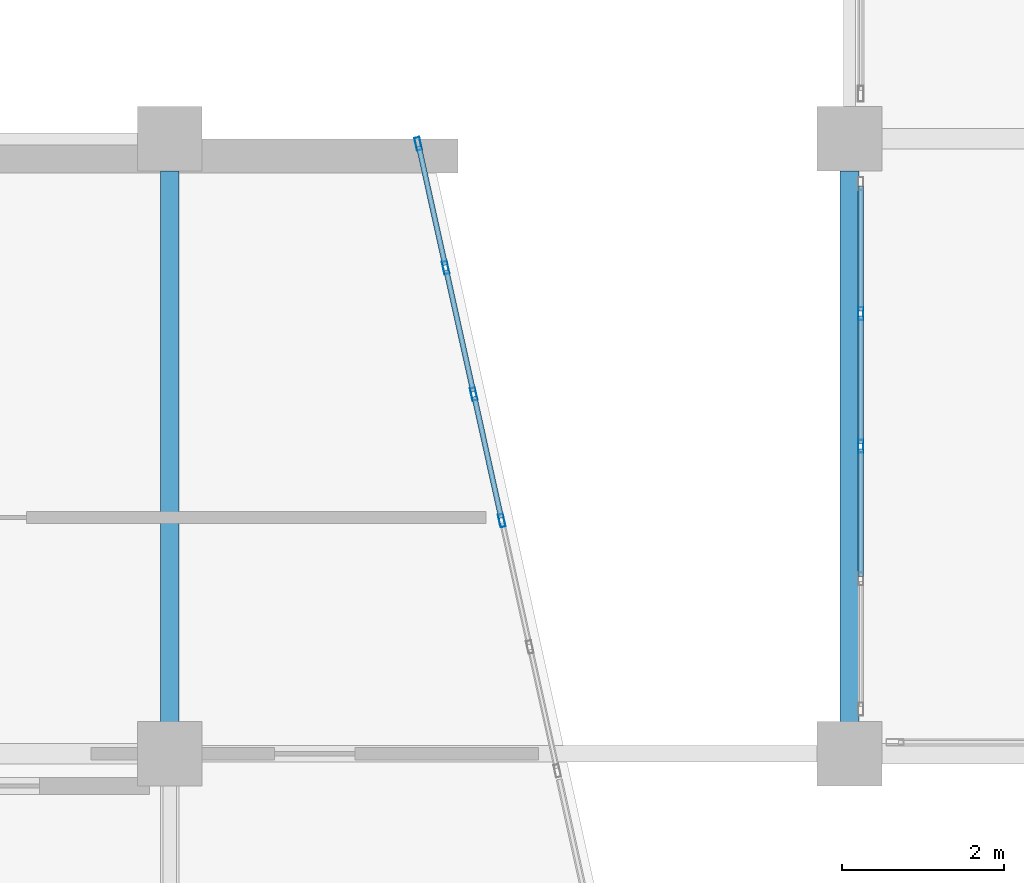
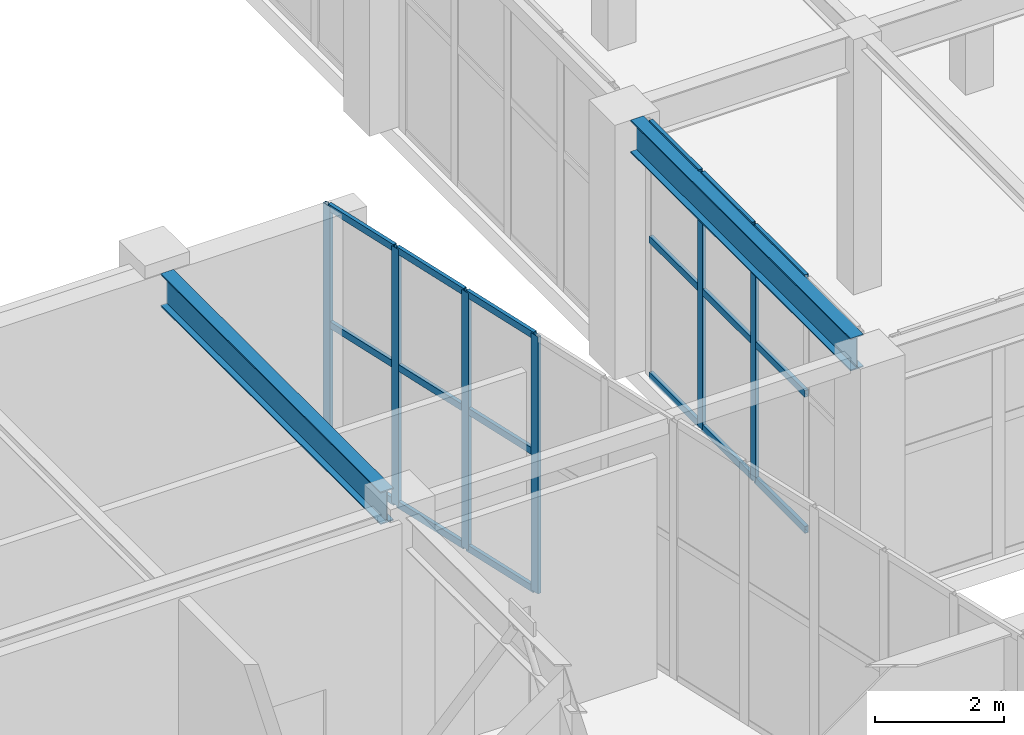
# One storey, part 26 of 128: 24 members, 2 beams, 2 elements without a shape of their own.
"""IFC4 building model written with IfcOpenShell, lengths in metres."""

from ifc_helpers import new_model, si_unit, direction, frame, origin, origin_2d, place, context, subcontext, project, spatial, hollow_rectangle, i_section, extrude, material, layer, layer_set, material_profile, profile_set, type_object, element, aggregate, save


model = new_model("IFC4")

# Units and contexts
model_context = context("Model", 3, precision=1e-05, world=origin(), true_north=direction((0.0, 1.0)))
body_context = subcontext(model_context, "Body", "Model", "MODEL_VIEW")
ifc_project = project(units=[si_unit("LENGTHUNIT", "METRE"), si_unit("AREAUNIT", "SQUARE_METRE"), si_unit("VOLUMEUNIT", "CUBIC_METRE"), si_unit("PLANEANGLEUNIT", "RADIAN"), si_unit("MASSUNIT", "GRAM", prefix="KILO")], contexts=[model_context])

# Site, building, storey
site_placement = place(None, origin())
site = spatial("IfcSite", under=ifc_project, at=site_placement, CompositionType="ELEMENT")
building_placement = place(site_placement, origin())
building = spatial("IfcBuilding", under=site, at=building_placement, Name="Xicomal Pleat Aquarium", CompositionType="ELEMENT")
storey_placement = place(building_placement, frame((0.0, 0.0, 5.39990234375)))
storey = spatial("IfcBuildingStorey", under=building, at=storey_placement, Name="L02", CompositionType="ELEMENT", Elevation=5.39990234375)

# Beams
ifc_material_1 = material(Name="Structural steel A992 Gr 50", Category="steel")
ifc_material_profile_1 = material_profile(ifc_material_1, i_section(OverallWidth=0.22998046875, OverallDepth=0.616943359375, WebThickness=0.01318359375, FlangeThickness=0.022216796875, at=origin_2d()), Name="IR 610x140")
ifc_profile_set_1 = profile_set([ifc_material_profile_1], Name="Structural steel A992 Gr 50")
beam_type = type_object("IfcBeamType", Name="BM-STL-IR610", PredefinedType="BEAM", material=ifc_profile_set_1)
for number, where, z_axis, x_axis, name in (
    (1, (35.39990234375, 30.794921875, 4.551513671875), (0.0, 1.0, 0.0), (-1.0, 0.0, 0.0), "L02 framing beam FGY-L02-05-E-F"),
    (2, (43.800048828125, 30.794921875, 4.51171875), (0.0, 1.0, 0.0), (-1.0, 0.0, 0.0), "L02 framing beam FGY-L02-06-E-F"),
):
    element("IfcBeam", number, at=place(storey_placement, frame(where, z_axis=z_axis, x_axis=x_axis)), inside=storey, type_object=beam_type, Name=name, PredefinedType="BEAM", context=body_context, shape_type="SweptSolid", body=[
        extrude(i_section(OverallWidth=0.22998046875, OverallDepth=0.616943359375, WebThickness=0.01318359375, FlangeThickness=0.022216796875, at=origin_2d()), origin(), (0.0, 0.0, 1.0), 6.81005859375),
    ])

# Curtain wall, members
ifc_material_2 = material(Name="Bronze anodized aluminium 6063-T6", Category="aluminium")
ifc_layer = layer(ifc_material_2, 0.159912109375)
ifc_layer_set = layer_set([ifc_layer], Name="Bronze anodized aluminium 6063-T6")
curtain_wall_type = type_object("IfcCurtainWallType", Name="CW-SYS-02", PredefinedType="NOTDEFINED", material=ifc_layer_set)
curtain_wall_1_placement = place(storey_placement, origin())
curtain_wall_1 = element("IfcCurtainWall", 3, at=curtain_wall_1_placement, inside=storey, type_object=curtain_wall_type, Name="L02 unitised curtain wall CW-L02-096", PredefinedType="NOTDEFINED")
ifc_material_3 = material(Name="Bronze anodized aluminium 6063-T6", Category="aluminium")
ifc_material_profile_2 = material_profile(ifc_material_3, hollow_rectangle(XDim=0.06494140625, YDim=0.159912109375, WallThickness=0.00390625, at=origin_2d()), Name="ALU MULL 65x160")
ifc_profile_set_2 = profile_set([ifc_material_profile_2], Name="Bronze anodized aluminium 6063-T6")
member_type_1 = type_object("IfcMemberType", Name="CWM-65x160", PredefinedType="MULLION", material=ifc_profile_set_2)
member_1_placement = place(storey_placement, frame((43.93994140625, 34.199951171875, 0.0), z_axis=(0.0, 0.0, 1.0), x_axis=(-1.0, 0.0, 0.0)))
member_1 = element("IfcMember", 4, at=member_1_placement, type_object=member_type_1, Name="CW-02 mullion 3", PredefinedType="MULLION", context=body_context, shape_type="SweptSolid", body=[
    extrude(hollow_rectangle(XDim=0.06494140625, YDim=0.159912109375, WallThickness=0.00390625, at=origin_2d()), origin(), (0.0, 0.0, 1.0), 4.820068359375),
])
member_2_placement = place(storey_placement, frame((43.93994140625, 35.840087890625, 0.0), z_axis=(0.0, 0.0, 1.0), x_axis=(-1.0, 0.0, 0.0)))
member_2 = element("IfcMember", 5, at=member_2_placement, type_object=member_type_1, Name="CW-02 mullion 4", PredefinedType="MULLION", context=body_context, shape_type="SweptSolid", body=[
    extrude(hollow_rectangle(XDim=0.06494140625, YDim=0.159912109375, WallThickness=0.00390625, at=origin_2d()), origin(), (0.0, 0.0, 1.0), 4.820068359375),
])

curtain_wall_2_placement = place(storey_placement, origin())
curtain_wall_2 = element("IfcCurtainWall", 6, at=curtain_wall_2_placement, inside=storey, type_object=curtain_wall_type, Name="L02 unitised curtain wall CW-L02-138", PredefinedType="NOTDEFINED")
member_3_placement = place(storey_placement, frame((38.469970703125, 37.938232421875, 0.0), z_axis=(0.0, 0.0, 1.0), x_axis=(0.976272248092, 0.216546756166, 0.0)))
member_3 = element("IfcMember", 7, at=member_3_placement, type_object=member_type_1, Name="CW-02 mullion 1", PredefinedType="MULLION", context=body_context, shape_type="SweptSolid", body=[
    extrude(hollow_rectangle(XDim=0.06494140625, YDim=0.159912109375, WallThickness=0.00390625, at=origin_2d()), origin(), (0.0, 0.0, 1.0), 4.860107421875),
])
member_4_placement = place(storey_placement, frame((38.8095703125, 36.407470703125, 0.0), z_axis=(0.0, 0.0, 1.0), x_axis=(0.976272248092, 0.216546756166, 0.0)))
member_4 = element("IfcMember", 8, at=member_4_placement, type_object=member_type_1, Name="CW-02 mullion 2", PredefinedType="MULLION", context=body_context, shape_type="SweptSolid", body=[
    extrude(hollow_rectangle(XDim=0.06494140625, YDim=0.159912109375, WallThickness=0.00390625, at=origin_2d()), origin(), (0.0, 0.0, 1.0), 4.860107421875),
])
member_5_placement = place(storey_placement, frame((39.15625, 34.8447265625, 0.0), z_axis=(0.0, 0.0, 1.0), x_axis=(0.976272248092, 0.216546756166, 0.0)))
member_5 = element("IfcMember", 9, at=member_5_placement, type_object=member_type_1, Name="CW-02 mullion 3", PredefinedType="MULLION", context=body_context, shape_type="SweptSolid", body=[
    extrude(hollow_rectangle(XDim=0.06494140625, YDim=0.159912109375, WallThickness=0.00390625, at=origin_2d()), origin(), (0.0, 0.0, 1.0), 4.860107421875),
])
member_6_placement = place(storey_placement, frame((39.502685546875, 33.2822265625, 0.0), z_axis=(0.0, 0.0, 1.0), x_axis=(0.976272248092, 0.216546756166, 0.0)))
member_6 = element("IfcMember", 10, at=member_6_placement, type_object=member_type_1, Name="CW-02 mullion 4", PredefinedType="MULLION", context=body_context, shape_type="SweptSolid", body=[
    extrude(hollow_rectangle(XDim=0.06494140625, YDim=0.159912109375, WallThickness=0.00390625, at=origin_2d()), origin(), (0.0, 0.0, 1.0), 4.860107421875),
])

# Member
ifc_material_4 = material(Name="Bronze anodized aluminium 6063-T6", Category="aluminium")
ifc_material_profile_3 = material_profile(ifc_material_4, hollow_rectangle(XDim=0.06494140625, YDim=0.1298828125, WallThickness=0.00390625, at=origin_2d()), Name="ALU TRAN 65x130")
ifc_profile_set_3 = profile_set([ifc_material_profile_3], Name="Bronze anodized aluminium 6063-T6")
member_type_2 = type_object("IfcMemberType", Name="CWT-65x130", PredefinedType="USERDEFINED", material=ifc_profile_set_3)
member_7_placement = place(storey_placement, frame((43.93994140625, 32.592529296875, 0.03271484375), z_axis=(0.0, 1.0, 0.0), x_axis=(-1.0, 0.0, 0.0)))
member_7 = element("IfcMember", 11, at=member_7_placement, type_object=member_type_2, Name="CW-02 transom 2.1", ObjectType="TRANSOM", PredefinedType="USERDEFINED", context=body_context, shape_type="SweptSolid", body=[
    extrude(hollow_rectangle(XDim=0.06494140625, YDim=0.1298828125, WallThickness=0.00390625, at=origin_2d()), origin(), (0.0, 0.0, 1.0), 1.574951171875),
])

member_8_placement = place(storey_placement, frame((43.93994140625, 32.592529296875, 2.60302734375), z_axis=(0.0, 1.0, 0.0), x_axis=(-1.0, 0.0, 0.0)))
member_8 = element("IfcMember", 12, at=member_8_placement, type_object=member_type_2, Name="CW-02 transom 2.2", ObjectType="TRANSOM", PredefinedType="USERDEFINED", context=body_context, shape_type="SweptSolid", body=[
    extrude(hollow_rectangle(XDim=0.06494140625, YDim=0.1298828125, WallThickness=0.00390625, at=origin_2d()), origin(), (0.0, 0.0, 1.0), 1.574951171875),
])

member_9_placement = place(storey_placement, frame((43.93994140625, 32.592529296875, 4.78759765625), z_axis=(0.0, 1.0, 0.0), x_axis=(-1.0, 0.0, 0.0)))
member_9 = element("IfcMember", 13, at=member_9_placement, type_object=member_type_2, Name="CW-02 transom 2.3", ObjectType="TRANSOM", PredefinedType="USERDEFINED", context=body_context, shape_type="SweptSolid", body=[
    extrude(hollow_rectangle(XDim=0.06494140625, YDim=0.1298828125, WallThickness=0.00390625, at=origin_2d()), origin(), (0.0, 0.0, 1.0), 1.574951171875),
])

member_10_placement = place(storey_placement, frame((43.93994140625, 34.232421875, 0.03271484375), z_axis=(0.0, 1.0, 0.0), x_axis=(-1.0, 0.0, 0.0)))
member_10 = element("IfcMember", 14, at=member_10_placement, type_object=member_type_2, Name="CW-02 transom 3.1", ObjectType="TRANSOM", PredefinedType="USERDEFINED", context=body_context, shape_type="SweptSolid", body=[
    extrude(hollow_rectangle(XDim=0.06494140625, YDim=0.1298828125, WallThickness=0.00390625, at=origin_2d()), origin(), (0.0, 0.0, 1.0), 1.5751953125),
])

member_11_placement = place(storey_placement, frame((43.93994140625, 34.232421875, 2.60302734375), z_axis=(0.0, 1.0, 0.0), x_axis=(-1.0, 0.0, 0.0)))
member_11 = element("IfcMember", 15, at=member_11_placement, type_object=member_type_2, Name="CW-02 transom 3.2", ObjectType="TRANSOM", PredefinedType="USERDEFINED", context=body_context, shape_type="SweptSolid", body=[
    extrude(hollow_rectangle(XDim=0.06494140625, YDim=0.1298828125, WallThickness=0.00390625, at=origin_2d()), origin(), (0.0, 0.0, 1.0), 1.5751953125),
])

member_12_placement = place(storey_placement, frame((43.93994140625, 34.232421875, 4.78759765625), z_axis=(0.0, 1.0, 0.0), x_axis=(-1.0, 0.0, 0.0)))
member_12 = element("IfcMember", 16, at=member_12_placement, type_object=member_type_2, Name="CW-02 transom 3.3", ObjectType="TRANSOM", PredefinedType="USERDEFINED", context=body_context, shape_type="SweptSolid", body=[
    extrude(hollow_rectangle(XDim=0.06494140625, YDim=0.1298828125, WallThickness=0.00390625, at=origin_2d()), origin(), (0.0, 0.0, 1.0), 1.5751953125),
])

member_13_placement = place(storey_placement, frame((43.93994140625, 35.87255859375, 0.03271484375), z_axis=(0.0, 1.0, 0.0), x_axis=(-1.0, 0.0, 0.0)))
member_13 = element("IfcMember", 17, at=member_13_placement, type_object=member_type_2, Name="CW-02 transom 4.1", ObjectType="TRANSOM", PredefinedType="USERDEFINED", context=body_context, shape_type="SweptSolid", body=[
    extrude(hollow_rectangle(XDim=0.06494140625, YDim=0.1298828125, WallThickness=0.00390625, at=origin_2d()), origin(), (0.0, 0.0, 1.0), 1.54248046875),
])

member_14_placement = place(storey_placement, frame((43.93994140625, 35.87255859375, 2.60302734375), z_axis=(0.0, 1.0, 0.0), x_axis=(-1.0, 0.0, 0.0)))
member_14 = element("IfcMember", 18, at=member_14_placement, type_object=member_type_2, Name="CW-02 transom 4.2", ObjectType="TRANSOM", PredefinedType="USERDEFINED", context=body_context, shape_type="SweptSolid", body=[
    extrude(hollow_rectangle(XDim=0.06494140625, YDim=0.1298828125, WallThickness=0.00390625, at=origin_2d()), origin(), (0.0, 0.0, 1.0), 1.54248046875),
])

member_15_placement = place(storey_placement, frame((43.93994140625, 35.87255859375, 4.78759765625), z_axis=(0.0, 1.0, 0.0), x_axis=(-1.0, 0.0, 0.0)))
member_15 = element("IfcMember", 19, at=member_15_placement, type_object=member_type_2, Name="CW-02 transom 4.3", ObjectType="TRANSOM", PredefinedType="USERDEFINED", context=body_context, shape_type="SweptSolid", body=[
    extrude(hollow_rectangle(XDim=0.06494140625, YDim=0.1298828125, WallThickness=0.00390625, at=origin_2d()), origin(), (0.0, 0.0, 1.0), 1.54248046875),
])

aggregate(curtain_wall_1, [member_1, member_2, member_7, member_8, member_9, member_10, member_11, member_12, member_13, member_14, member_15])

member_16_placement = place(storey_placement, frame((38.47705078125, 37.906494140625, 0.03271484375), z_axis=(0.216534846579, -0.976274889679, 0.0), x_axis=(0.976274889679, 0.216534846579, 0.0)))
member_16 = element("IfcMember", 20, at=member_16_placement, type_object=member_type_2, Name="CW-02 transom 1.1", ObjectType="TRANSOM", PredefinedType="USERDEFINED", context=body_context, shape_type="SweptSolid", body=[
    extrude(hollow_rectangle(XDim=0.06494140625, YDim=0.1298828125, WallThickness=0.00390625, at=origin_2d()), origin(), (0.0, 0.0, 1.0), 1.5029296875),
])

member_17_placement = place(storey_placement, frame((38.47705078125, 37.906494140625, 2.6240234375), z_axis=(0.216534846579, -0.976274889679, 0.0), x_axis=(0.976274889679, 0.216534846579, 0.0)))
member_17 = element("IfcMember", 21, at=member_17_placement, type_object=member_type_2, Name="CW-02 transom 1.2", ObjectType="TRANSOM", PredefinedType="USERDEFINED", context=body_context, shape_type="SweptSolid", body=[
    extrude(hollow_rectangle(XDim=0.06494140625, YDim=0.1298828125, WallThickness=0.00390625, at=origin_2d()), origin(), (0.0, 0.0, 1.0), 1.5029296875),
])

member_18_placement = place(storey_placement, frame((38.47705078125, 37.906494140625, 4.82763671875), z_axis=(0.216534846579, -0.976274889679, 0.0), x_axis=(0.976274889679, 0.216534846579, 0.0)))
member_18 = element("IfcMember", 22, at=member_18_placement, type_object=member_type_2, Name="CW-02 transom 1.3", ObjectType="TRANSOM", PredefinedType="USERDEFINED", context=body_context, shape_type="SweptSolid", body=[
    extrude(hollow_rectangle(XDim=0.06494140625, YDim=0.1298828125, WallThickness=0.00390625, at=origin_2d()), origin(), (0.0, 0.0, 1.0), 1.5029296875),
])

member_19_placement = place(storey_placement, frame((38.816650390625, 36.375732421875, 0.03271484375), z_axis=(0.216526451046, -0.976276751745, 0.0), x_axis=(0.976276751745, 0.216526451046, 0.0)))
member_19 = element("IfcMember", 23, at=member_19_placement, type_object=member_type_2, Name="CW-02 transom 2.1", ObjectType="TRANSOM", PredefinedType="USERDEFINED", context=body_context, shape_type="SweptSolid", body=[
    extrude(hollow_rectangle(XDim=0.06494140625, YDim=0.1298828125, WallThickness=0.00390625, at=origin_2d()), origin(), (0.0, 0.0, 1.0), 1.53564453125),
])

member_20_placement = place(storey_placement, frame((38.816650390625, 36.375732421875, 2.6240234375), z_axis=(0.216526451046, -0.976276751745, 0.0), x_axis=(0.976276751745, 0.216526451046, 0.0)))
member_20 = element("IfcMember", 24, at=member_20_placement, type_object=member_type_2, Name="CW-02 transom 2.2", ObjectType="TRANSOM", PredefinedType="USERDEFINED", context=body_context, shape_type="SweptSolid", body=[
    extrude(hollow_rectangle(XDim=0.06494140625, YDim=0.1298828125, WallThickness=0.00390625, at=origin_2d()), origin(), (0.0, 0.0, 1.0), 1.53564453125),
])

member_21_placement = place(storey_placement, frame((38.816650390625, 36.375732421875, 4.82763671875), z_axis=(0.216526451046, -0.976276751745, 0.0), x_axis=(0.976276751745, 0.216526451046, 0.0)))
member_21 = element("IfcMember", 25, at=member_21_placement, type_object=member_type_2, Name="CW-02 transom 2.3", ObjectType="TRANSOM", PredefinedType="USERDEFINED", context=body_context, shape_type="SweptSolid", body=[
    extrude(hollow_rectangle(XDim=0.06494140625, YDim=0.1298828125, WallThickness=0.00390625, at=origin_2d()), origin(), (0.0, 0.0, 1.0), 1.53564453125),
])

member_22_placement = place(storey_placement, frame((39.1630859375, 34.81298828125, 0.03271484375), z_axis=(0.216711598998, -0.976235669733, 0.0), x_axis=(0.976235669733, 0.216711598998, 0.0)))
member_22 = element("IfcMember", 26, at=member_22_placement, type_object=member_type_2, Name="CW-02 transom 3.1", ObjectType="TRANSOM", PredefinedType="USERDEFINED", context=body_context, shape_type="SweptSolid", body=[
    extrude(hollow_rectangle(XDim=0.06494140625, YDim=0.1298828125, WallThickness=0.00390625, at=origin_2d()), origin(), (0.0, 0.0, 1.0), 1.535400390625),
])

member_23_placement = place(storey_placement, frame((39.1630859375, 34.81298828125, 2.6240234375), z_axis=(0.216711598998, -0.976235669733, 0.0), x_axis=(0.976235669733, 0.216711598998, 0.0)))
member_23 = element("IfcMember", 27, at=member_23_placement, type_object=member_type_2, Name="CW-02 transom 3.2", ObjectType="TRANSOM", PredefinedType="USERDEFINED", context=body_context, shape_type="SweptSolid", body=[
    extrude(hollow_rectangle(XDim=0.06494140625, YDim=0.1298828125, WallThickness=0.00390625, at=origin_2d()), origin(), (0.0, 0.0, 1.0), 1.535400390625),
])

member_24_placement = place(storey_placement, frame((39.1630859375, 34.81298828125, 4.82763671875), z_axis=(0.216711598998, -0.976235669733, 0.0), x_axis=(0.976235669733, 0.216711598998, 0.0)))
member_24 = element("IfcMember", 28, at=member_24_placement, type_object=member_type_2, Name="CW-02 transom 3.3", ObjectType="TRANSOM", PredefinedType="USERDEFINED", context=body_context, shape_type="SweptSolid", body=[
    extrude(hollow_rectangle(XDim=0.06494140625, YDim=0.1298828125, WallThickness=0.00390625, at=origin_2d()), origin(), (0.0, 0.0, 1.0), 1.535400390625),
])

aggregate(curtain_wall_2, [member_3, member_4, member_5, member_6, member_16, member_17, member_18, member_19, member_20, member_21, member_22, member_23, member_24])

save(model, "model.ifc")
